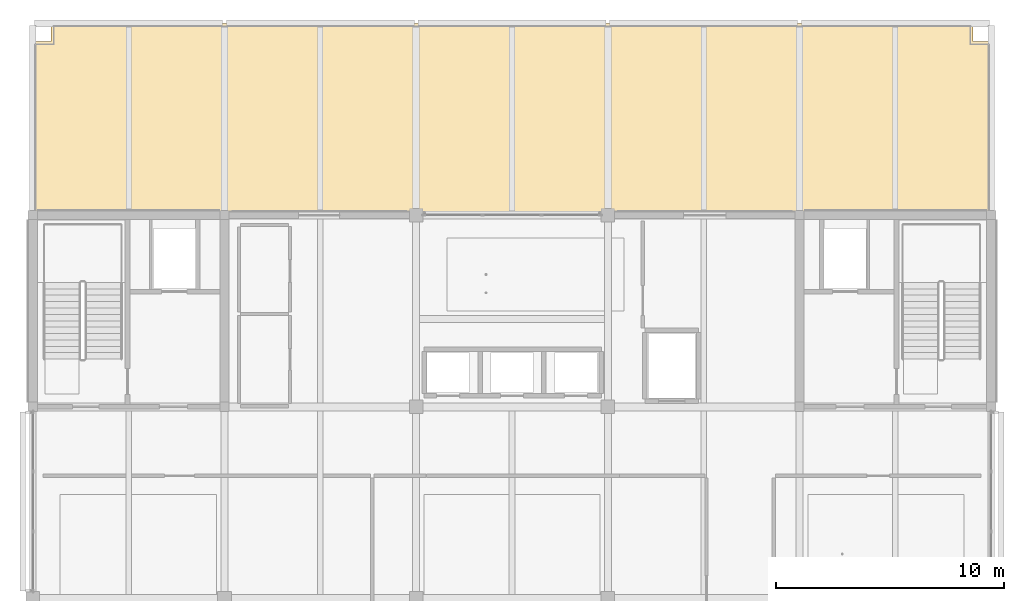
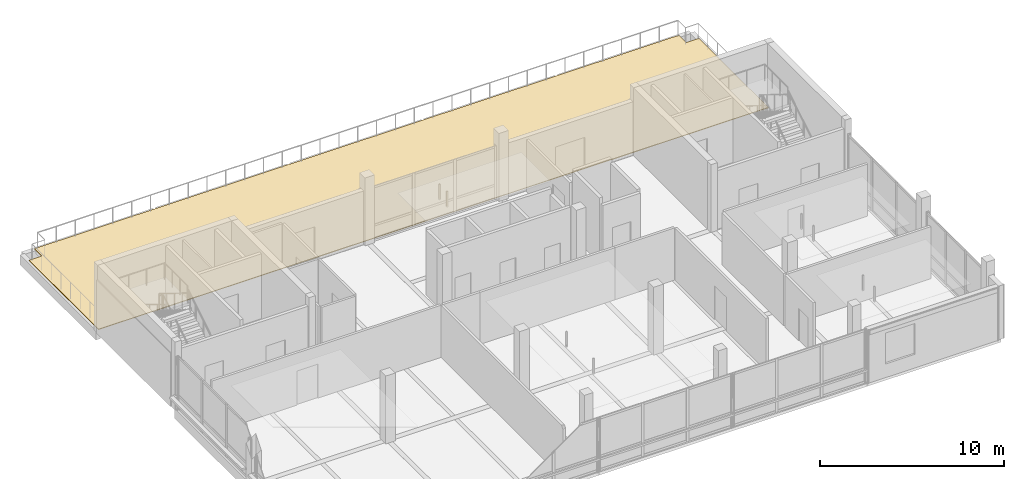
# One storey, part 21 of 25: 1 covering.
"""IFC4 building model written with IfcOpenShell, lengths in metres."""

from ifc_helpers import new_model, si_unit, direction, frame, origin, place, context, subcontext, project, spatial, polyline, outline, extrude, material, layer, layer_set, type_object, element, save


model = new_model("IFC4")

# Units and contexts
model_context = context("Model", 3, precision=1e-05, world=origin(), true_north=direction((0.0, 1.0)))
body_context = subcontext(model_context, "Body", "Model", "MODEL_VIEW")
ifc_project = project(units=[si_unit("LENGTHUNIT", "METRE"), si_unit("AREAUNIT", "SQUARE_METRE"), si_unit("VOLUMEUNIT", "CUBIC_METRE"), si_unit("PLANEANGLEUNIT", "RADIAN"), si_unit("MASSUNIT", "GRAM", prefix="KILO")], contexts=[model_context])

# Site, building, storey
site_placement = place(None, origin())
site = spatial("IfcSite", under=ifc_project, at=site_placement, CompositionType="ELEMENT")
building_placement = place(site_placement, origin())
building = spatial("IfcBuilding", under=site, at=building_placement, Name="Telukmera Botanical Conservatory", CompositionType="ELEMENT")
storey_placement = place(building_placement, frame((0.0, 0.0, 64.5)))
storey = spatial("IfcBuildingStorey", under=building, at=storey_placement, Name="L14", CompositionType="ELEMENT", Elevation=64.5)

# Covering
ifc_material = material(Name="Elastomeric bituminous waterproof roofing membrane")
ifc_layer = layer(ifc_material, 0.030029296875)
ifc_layer_set = layer_set([ifc_layer], Name="Elastomeric bituminous waterproof roofing membrane")
covering_type = type_object("IfcCoveringType", Name="Elastomeric Bituminous Waterproof Roof Membrane", PredefinedType="ROOFING", material=ifc_layer_set)
covering_placement = place(storey_placement, origin())
element("IfcCovering", 1, at=covering_placement, inside=storey, type_object=covering_type, Name="Tower Sky Terrace Waterproofing Membrane L14", PredefinedType="ROOFING", context=body_context, shape_type="SweptSolid", body=[
    extrude(outline(polyline([(58.800048828125, 34.449951171875), (100.800048828125, 34.449951171875), (100.800048828125, 42.0), (100.0, 42.0), (100.0, 42.800048828125), (59.60009765625, 42.800048828125), (59.60009765625, 42.0), (58.800048828125, 42.0), (58.800048828125, 34.449951171875)])), origin(), (0.0, 0.0, 1.0), 0.0400390625),
])

save(model, "model.ifc")
